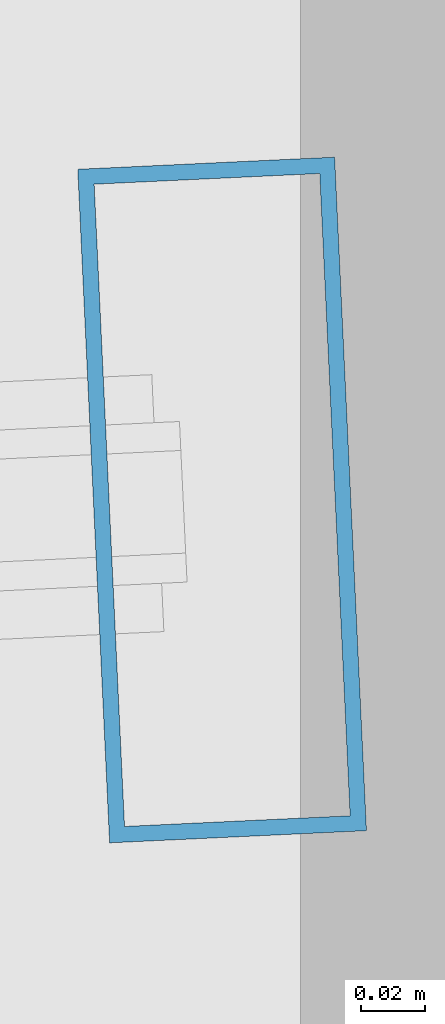
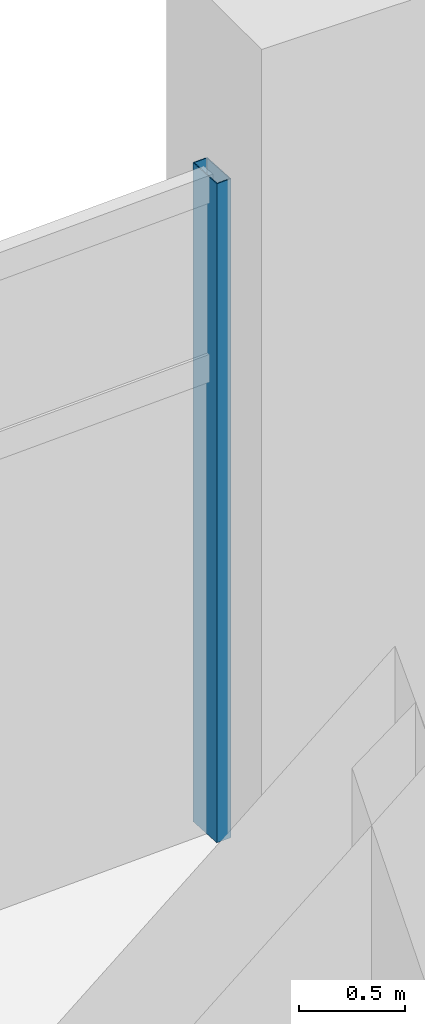
# One storey, part 107 of 171: 1 member, 1 element without a shape of its own.
"""IFC4 building model written with IfcOpenShell, lengths in metres."""

from ifc_helpers import new_model, si_unit, direction, frame, origin, origin_2d, place, context, subcontext, project, spatial, hollow_rectangle, extrude, material, layer, layer_set, material_profile, profile_set, type_object, element, aggregate, save


model = new_model("IFC4")

# Units and contexts
model_context = context("Model", 3, precision=1e-05, world=origin(), true_north=direction((0.0, 1.0)))
body_context = subcontext(model_context, "Body", "Model", "MODEL_VIEW")
ifc_project = project(units=[si_unit("LENGTHUNIT", "METRE"), si_unit("AREAUNIT", "SQUARE_METRE"), si_unit("VOLUMEUNIT", "CUBIC_METRE"), si_unit("PLANEANGLEUNIT", "RADIAN"), si_unit("MASSUNIT", "GRAM", prefix="KILO")], contexts=[model_context])

# Site, building, storey
site_placement = place(None, origin())
site = spatial("IfcSite", under=ifc_project, at=site_placement, CompositionType="ELEMENT")
building_placement = place(site_placement, origin())
building = spatial("IfcBuilding", under=site, at=building_placement, Name="Kazemori Nagisa Stadium", CompositionType="ELEMENT")
storey_placement = place(building_placement, frame((0.0, 0.0, 15.639892578125)))
storey = spatial("IfcBuildingStorey", under=building, at=storey_placement, Name="L03", CompositionType="ELEMENT", Elevation=15.639892578125)

# Curtain wall, member
ifc_material_1 = material(Name="Anodised aluminium 6063-T5", Category="aluminium")
ifc_layer = layer(ifc_material_1, 0.2099609375, Name="Anodised aluminium 6063-T5", Category="aluminium")
ifc_layer_set = layer_set([ifc_layer], Name="Anodised aluminium 6063-T5")
curtain_wall_type = type_object("IfcCurtainWallType", Name="CW_L03R3_103", PredefinedType="USERDEFINED", material=ifc_layer_set)
curtain_wall_placement = place(storey_placement, origin())
curtain_wall = element("IfcCurtainWall", 1, at=curtain_wall_placement, inside=storey, type_object=curtain_wall_type, Name="Unitised curtain wall CW-L03R3-103 L03", ObjectType="UNITISED CURTAIN WALL", PredefinedType="USERDEFINED")
ifc_material_2 = material(Name="Aluminium 6063-T5 anodised", Category="aluminium")
ifc_material_profile = material_profile(ifc_material_2, hollow_rectangle(XDim=0.080078125, YDim=0.2099609375, WallThickness=0.0048828125, at=origin_2d()), Name="ALU-MULL-80x210x5")
ifc_profile_set = profile_set([ifc_material_profile], Name="Aluminium 6063-T5 anodised")
member_type = type_object("IfcMemberType", Name="Mullion_M02", PredefinedType="MULLION", material=ifc_profile_set)
member_placement = place(storey_placement, frame((122.525634765625, 187.9775390625, 0.0), z_axis=(0.0, 0.0, 1.0), x_axis=(-0.998884022476, -0.047230388971, 0.0)))
member = element("IfcMember", 2, at=member_placement, type_object=member_type, Name="Curtain wall mullion CW-L03R3-103-M1", PredefinedType="MULLION", context=body_context, shape_type="SweptSolid", body=[
    extrude(hollow_rectangle(XDim=0.080078125, YDim=0.2099609375, WallThickness=0.0048828125, at=origin_2d()), origin(), (0.0, 0.0, 1.0), 3.81005859375),
])
aggregate(curtain_wall, [member])

save(model, "model.ifc")
